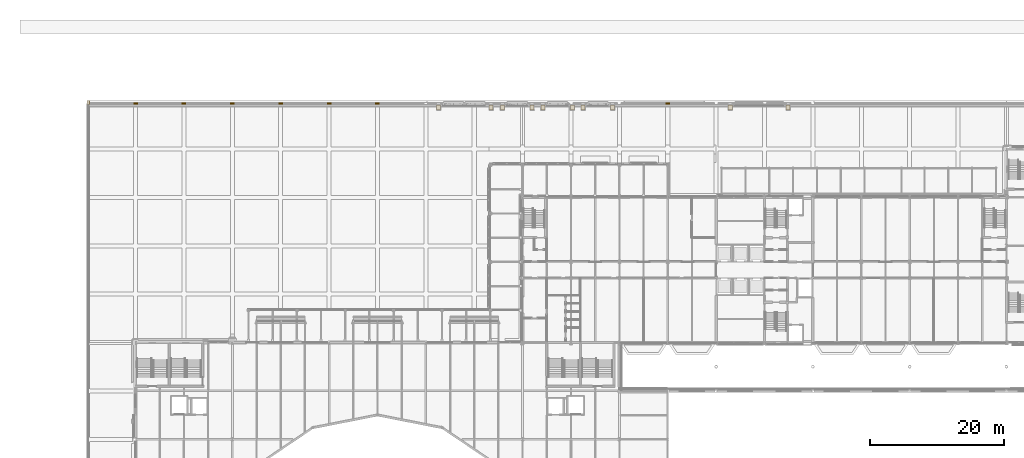
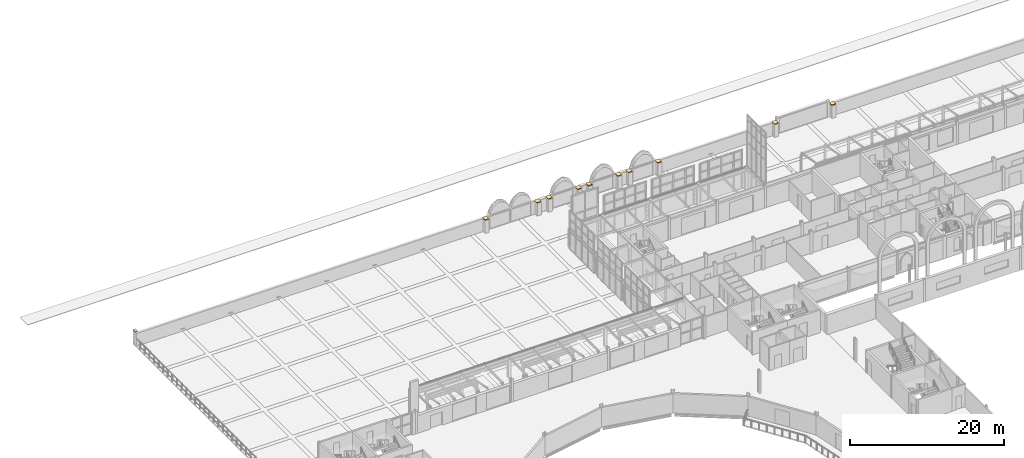
# One storey, part 139 of 143: 18 coverings.
"""IFC4 building model written with IfcOpenShell, lengths in metres."""

from ifc_helpers import new_model, si_unit, direction, frame, origin, place, context, subcontext, project, spatial, polyline, outline, extrude, material, layer, layer_set, type_object, element, save


model = new_model("IFC4")

# Units and contexts
model_context = context("Model", 3, precision=1e-05, world=origin(), true_north=direction((0.0, 1.0)))
body_context = subcontext(model_context, "Body", "Model", "MODEL_VIEW")
ifc_project = project(units=[si_unit("LENGTHUNIT", "METRE"), si_unit("AREAUNIT", "SQUARE_METRE"), si_unit("VOLUMEUNIT", "CUBIC_METRE"), si_unit("PLANEANGLEUNIT", "RADIAN"), si_unit("MASSUNIT", "GRAM", prefix="KILO")], contexts=[model_context])

# Site, building, storey
site_placement = place(None, origin())
site = spatial("IfcSite", under=ifc_project, at=site_placement, CompositionType="ELEMENT")
building_placement = place(site_placement, origin())
building = spatial("IfcBuilding", under=site, at=building_placement, Name="Kupolbacken Congress Centre", CompositionType="ELEMENT")
storey_placement = place(building_placement, frame((0.0, 0.0, 7.199951171875)))
storey = spatial("IfcBuildingStorey", under=building, at=storey_placement, Name="L02", CompositionType="ELEMENT", Elevation=7.199951171875)

# Coverings
ifc_material_1 = material(Name="Limestone cladding", Category="masonry")
ifc_layer_1 = layer(ifc_material_1, 0.1201171875)
ifc_layer_set_1 = layer_set([ifc_layer_1], Name="Limestone cladding")
covering_type_1 = type_object("IfcCoveringType", Name="CV1 limestone cladding band 120", PredefinedType="CLADDING", material=ifc_layer_set_1)
covering_1_placement = place(storey_placement, frame((0.0, 0.0, 2.0)))
element("IfcCovering", 1, at=covering_1_placement, inside=storey, type_object=covering_type_1, Name="Limestone coping on boundary wall", PredefinedType="CLADDING", context=body_context, shape_type="SweptSolid", body=[
    extrude(outline(polyline([(0.35107421875, 158.39892578125), (0.35107421875, 157.800048828125), (0.0009765625, 157.800048828125), (0.0009765625, 158.39892578125), (0.35107421875, 158.39892578125)])), origin(), (0.0, 0.0, 1.0), 0.1201171875),
])
covering_2_placement = place(storey_placement, frame((0.0, 0.0, 2.0)))
element("IfcCovering", 2, at=covering_2_placement, inside=storey, type_object=covering_type_1, Name="Limestone coping on boundary wall", PredefinedType="CLADDING", context=body_context, shape_type="SweptSolid", body=[
    extrude(outline(polyline([(52.60009765625, 157.72998046875), (52.60009765625, 157.030029296875), (52.0, 157.030029296875), (52.0, 157.72998046875), (52.60009765625, 157.72998046875)])), origin(), (0.0, 0.0, 1.0), 0.1201171875),
])
covering_3_placement = place(storey_placement, frame((0.0, 0.0, 2.0)))
element("IfcCovering", 3, at=covering_3_placement, inside=storey, type_object=covering_type_1, Name="Limestone coping on boundary wall", PredefinedType="CLADDING", context=body_context, shape_type="SweptSolid", body=[
    extrude(outline(polyline([(59.800048828125, 157.030029296875), (59.800048828125, 157.72998046875), (60.39990234375, 157.72998046875), (60.39990234375, 157.030029296875), (59.800048828125, 157.030029296875)])), origin(), (0.0, 0.0, 1.0), 0.1201171875),
])
covering_4_placement = place(storey_placement, frame((0.0, 0.0, 2.0)))
element("IfcCovering", 4, at=covering_4_placement, inside=storey, type_object=covering_type_1, Name="Limestone coping on boundary wall", PredefinedType="CLADDING", context=body_context, shape_type="SweptSolid", body=[
    extrude(outline(polyline([(62.10009765625, 157.72998046875), (62.10009765625, 157.030029296875), (61.5, 157.030029296875), (61.5, 157.72998046875), (62.10009765625, 157.72998046875)])), origin(), (0.0, 0.0, 1.0), 0.1201171875),
])
covering_5_placement = place(storey_placement, frame((0.0, 0.0, 2.0)))
element("IfcCovering", 5, at=covering_5_placement, inside=storey, type_object=covering_type_1, Name="Limestone coping on boundary wall", PredefinedType="CLADDING", context=body_context, shape_type="SweptSolid", body=[
    extrude(outline(polyline([(65.89990234375, 157.030029296875), (65.89990234375, 157.72998046875), (66.5, 157.72998046875), (66.5, 157.030029296875), (65.89990234375, 157.030029296875)])), origin(), (0.0, 0.0, 1.0), 0.1201171875),
])
covering_6_placement = place(storey_placement, frame((0.0, 0.0, 2.0)))
element("IfcCovering", 6, at=covering_6_placement, inside=storey, type_object=covering_type_1, Name="Limestone coping on boundary wall", PredefinedType="CLADDING", context=body_context, shape_type="SweptSolid", body=[
    extrude(outline(polyline([(68.10009765625, 157.72998046875), (68.10009765625, 157.030029296875), (67.5, 157.030029296875), (67.5, 157.72998046875), (68.10009765625, 157.72998046875)])), origin(), (0.0, 0.0, 1.0), 0.1201171875),
])
covering_7_placement = place(storey_placement, frame((0.0, 0.0, 2.0)))
element("IfcCovering", 7, at=covering_7_placement, inside=storey, type_object=covering_type_1, Name="Limestone coping on boundary wall", PredefinedType="CLADDING", context=body_context, shape_type="SweptSolid", body=[
    extrude(outline(polyline([(71.89990234375, 157.030029296875), (71.89990234375, 157.72998046875), (72.5, 157.72998046875), (72.5, 157.030029296875), (71.89990234375, 157.030029296875)])), origin(), (0.0, 0.0, 1.0), 0.1201171875),
])
covering_8_placement = place(storey_placement, frame((0.0, 0.0, 2.0)))
element("IfcCovering", 8, at=covering_8_placement, inside=storey, type_object=covering_type_1, Name="Limestone coping on boundary wall", PredefinedType="CLADDING", context=body_context, shape_type="SweptSolid", body=[
    extrude(outline(polyline([(74.10009765625, 157.72998046875), (74.10009765625, 157.030029296875), (73.5, 157.030029296875), (73.5, 157.72998046875), (74.10009765625, 157.72998046875)])), origin(), (0.0, 0.0, 1.0), 0.1201171875),
])
covering_9_placement = place(storey_placement, frame((0.0, 0.0, 2.0)))
element("IfcCovering", 9, at=covering_9_placement, inside=storey, type_object=covering_type_1, Name="Limestone coping on boundary wall", PredefinedType="CLADDING", context=body_context, shape_type="SweptSolid", body=[
    extrude(outline(polyline([(77.89990234375, 157.030029296875), (77.89990234375, 157.72998046875), (78.5, 157.72998046875), (78.5, 157.030029296875), (77.89990234375, 157.030029296875)])), origin(), (0.0, 0.0, 1.0), 0.1201171875),
])
covering_10_placement = place(storey_placement, frame((0.0, 0.0, 2.0)))
element("IfcCovering", 10, at=covering_10_placement, inside=storey, type_object=covering_type_1, Name="Limestone coping on boundary wall", PredefinedType="CLADDING", context=body_context, shape_type="SweptSolid", body=[
    extrude(outline(polyline([(96.0, 157.72998046875), (96.0, 157.030029296875), (95.39990234375, 157.030029296875), (95.39990234375, 157.72998046875), (96.0, 157.72998046875)])), origin(), (0.0, 0.0, 1.0), 0.1201171875),
])
covering_11_placement = place(storey_placement, frame((0.0, 0.0, 2.0)))
element("IfcCovering", 11, at=covering_11_placement, inside=storey, type_object=covering_type_1, Name="Limestone coping on boundary wall", PredefinedType="CLADDING", context=body_context, shape_type="SweptSolid", body=[
    extrude(outline(polyline([(104.0, 157.030029296875), (104.0, 157.72998046875), (104.60009765625, 157.72998046875), (104.60009765625, 157.030029296875), (104.0, 157.030029296875)])), origin(), (0.0, 0.0, 1.0), 0.1201171875),
])
ifc_material_2 = material(Name="Brick", Category="masonry")
ifc_layer_2 = layer(ifc_material_2, 0.02001953125)
ifc_layer_set_2 = layer_set([ifc_layer_2], Name="Brick")
covering_type_2 = type_object("IfcCoveringType", Name="GF2 brick paving 20", PredefinedType="FLOORING", material=ifc_layer_set_2)
covering_12_placement = place(storey_placement, origin())
element("IfcCovering", 12, at=covering_12_placement, inside=storey, type_object=covering_type_2, Name="Forecourt paving band", PredefinedType="FLOORING", context=body_context, shape_type="SweptSolid", body=[
    extrude(outline(polyline([(6.89990234375, 158.09912109375), (7.5, 158.09912109375), (7.5, 157.830078125), (6.89990234375, 157.830078125), (6.89990234375, 158.09912109375)])), origin(), (0.0, 0.0, 1.0), 0.02001953125),
])
covering_13_placement = place(storey_placement, origin())
element("IfcCovering", 13, at=covering_13_placement, inside=storey, type_object=covering_type_2, Name="Forecourt paving band", PredefinedType="FLOORING", context=body_context, shape_type="SweptSolid", body=[
    extrude(outline(polyline([(14.10009765625, 158.09912109375), (14.699951171875, 158.09912109375), (14.699951171875, 157.830078125), (14.10009765625, 157.830078125), (14.10009765625, 158.09912109375)])), origin(), (0.0, 0.0, 1.0), 0.02001953125),
])
covering_14_placement = place(storey_placement, origin())
element("IfcCovering", 14, at=covering_14_placement, inside=storey, type_object=covering_type_2, Name="Forecourt paving band", PredefinedType="FLOORING", context=body_context, shape_type="SweptSolid", body=[
    extrude(outline(polyline([(21.300048828125, 158.09912109375), (21.89990234375, 158.09912109375), (21.89990234375, 157.830078125), (21.300048828125, 157.830078125), (21.300048828125, 158.09912109375)])), origin(), (0.0, 0.0, 1.0), 0.02001953125),
])
covering_15_placement = place(storey_placement, origin())
element("IfcCovering", 15, at=covering_15_placement, inside=storey, type_object=covering_type_2, Name="Forecourt paving band", PredefinedType="FLOORING", context=body_context, shape_type="SweptSolid", body=[
    extrude(outline(polyline([(28.5, 158.09912109375), (29.10009765625, 158.09912109375), (29.10009765625, 157.830078125), (28.5, 157.830078125), (28.5, 158.09912109375)])), origin(), (0.0, 0.0, 1.0), 0.02001953125),
])
covering_16_placement = place(storey_placement, origin())
element("IfcCovering", 16, at=covering_16_placement, inside=storey, type_object=covering_type_2, Name="Forecourt paving band", PredefinedType="FLOORING", context=body_context, shape_type="SweptSolid", body=[
    extrude(outline(polyline([(35.699951171875, 158.09912109375), (36.300048828125, 158.09912109375), (36.300048828125, 157.830078125), (35.699951171875, 157.830078125), (35.699951171875, 158.09912109375)])), origin(), (0.0, 0.0, 1.0), 0.02001953125),
])
covering_17_placement = place(storey_placement, origin())
element("IfcCovering", 17, at=covering_17_placement, inside=storey, type_object=covering_type_2, Name="Forecourt paving band", PredefinedType="FLOORING", context=body_context, shape_type="SweptSolid", body=[
    extrude(outline(polyline([(42.89990234375, 158.09912109375), (43.5, 158.09912109375), (43.5, 157.830078125), (42.89990234375, 157.830078125), (42.89990234375, 158.09912109375)])), origin(), (0.0, 0.0, 1.0), 0.02001953125),
])
covering_18_placement = place(storey_placement, origin())
element("IfcCovering", 18, at=covering_18_placement, inside=storey, type_object=covering_type_2, Name="Arrival paving band", PredefinedType="FLOORING", context=body_context, shape_type="SweptSolid", body=[
    extrude(outline(polyline([(86.10009765625, 158.09912109375), (86.699951171875, 158.09912109375), (86.699951171875, 157.830078125), (86.10009765625, 157.830078125), (86.10009765625, 158.09912109375)])), origin(), (0.0, 0.0, 1.0), 0.02001953125),
])

save(model, "model.ifc")
